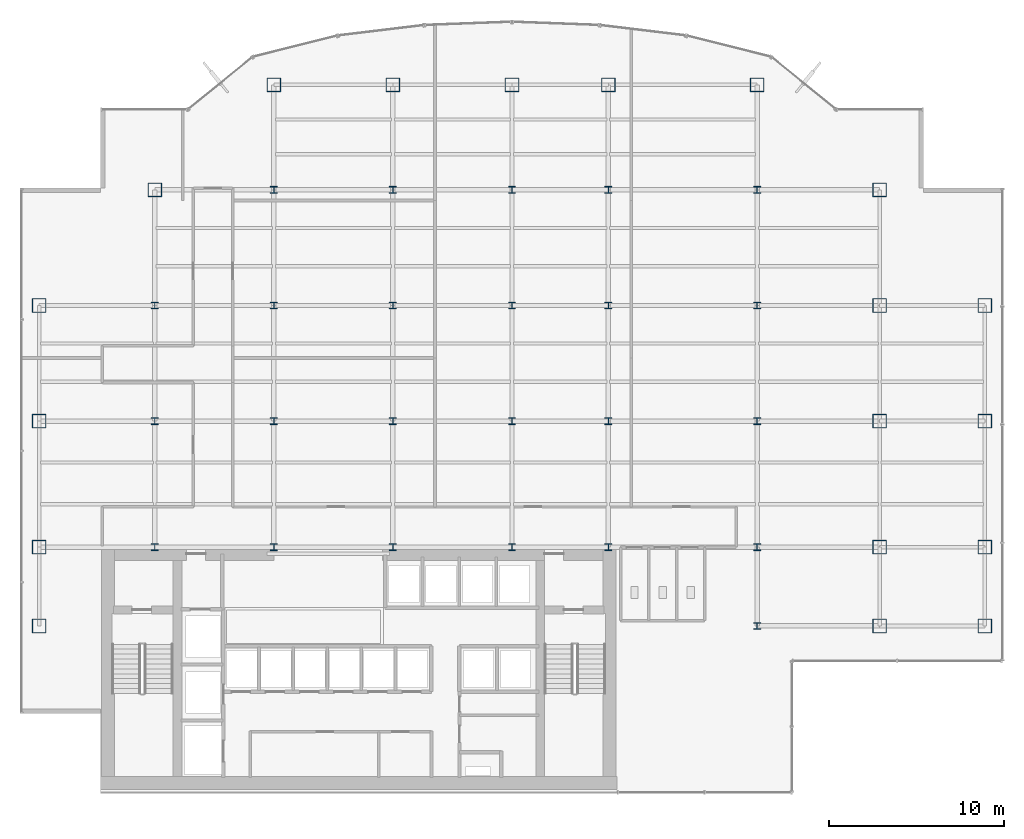
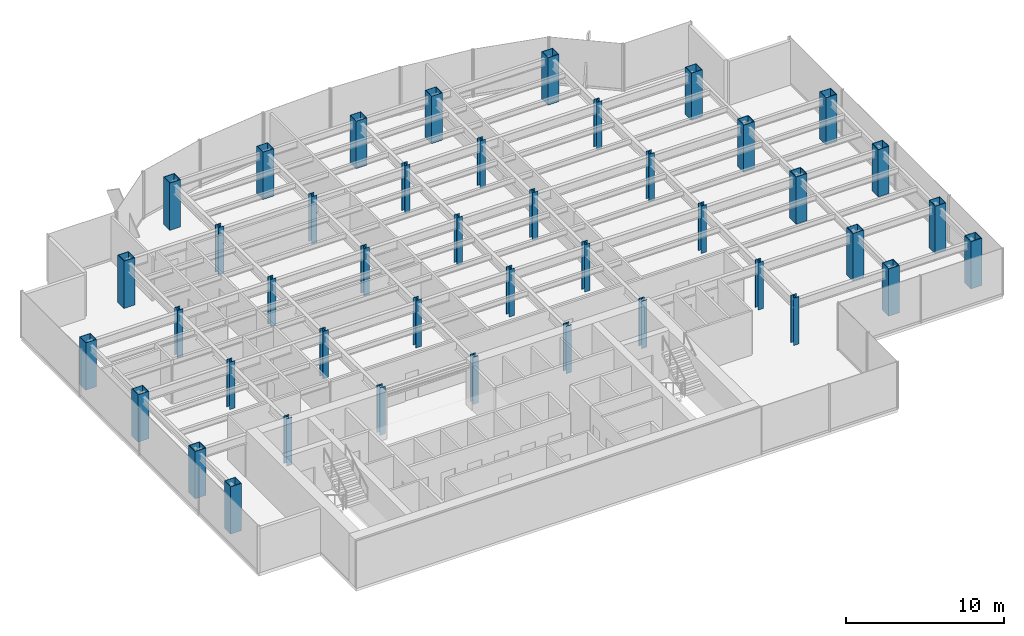
# One storey, part 1 of 26: 43 columns.
"""IFC4 building model written with IfcOpenShell, lengths in metres."""

from ifc_helpers import new_model, si_unit, derived_unit, direction, frame, origin, origin_2d, place, context, subcontext, project, spatial, hollow_rectangle, i_section, extrude, source, transform, mapped, material, material_profile, profile_set, type_object, element, save


model = new_model("IFC4")

# Units and contexts
model_context = context("Model", 3, precision=1e-05, world=origin(), true_north=direction((0.0, 1.0)))
body_context = subcontext(model_context, "Body", "Model", "MODEL_VIEW")
ifc_project = project(units=[si_unit("LENGTHUNIT", "METRE"), si_unit("AREAUNIT", "SQUARE_METRE"), si_unit("VOLUMEUNIT", "CUBIC_METRE"), si_unit("PLANEANGLEUNIT", "RADIAN"), si_unit("MASSUNIT", "GRAM", prefix="KILO"), derived_unit("THERMALTRANSMITTANCEUNIT", [(si_unit("POWERUNIT", "WATT"), 1), (si_unit("LENGTHUNIT", "METRE"), -2), (si_unit("THERMODYNAMICTEMPERATUREUNIT", "KELVIN"), -1)])], contexts=[model_context])

# Site, building, storey
site_placement = place(None, origin())
site = spatial("IfcSite", under=ifc_project, at=site_placement, CompositionType="ELEMENT")
building_placement = place(site_placement, origin())
building = spatial("IfcBuilding", under=site, at=building_placement, Name="Skarnbrae Concourse Arena and Tower", CompositionType="ELEMENT")
storey_placement = place(building_placement, frame((0.0, 0.0, 106.89990234375)))
storey = spatial("IfcBuildingStorey", under=building, at=storey_placement, Name="L26", CompositionType="ELEMENT", Elevation=106.89990234375)

# Columns
ifc_material = material(Name="Steel CSA G40.21 350W", Category="steel")
ifc_material_profile_1 = material_profile(ifc_material, hollow_rectangle(XDim=0.800048828125, YDim=0.800048828125, WallThickness=0.0400390625, at=origin_2d()), Name="BOX800X800X40")
ifc_profile_set_1 = profile_set([ifc_material_profile_1], Name="Steel CSA G40.21 350W")
column_type_1 = type_object("IfcColumnType", Name="COL-TUBE-BOX800", PredefinedType="COLUMN", material=ifc_profile_set_1)
shared_shape_1 = source(origin(), body_context, "Body", "SweptSolid", [
    extrude(hollow_rectangle(XDim=0.800048828125, YDim=0.800048828125, WallThickness=0.0400390625, at=origin_2d()), origin(), (0.0, 0.0, 1.0), 3.650146484375),
])
for number, where, z_axis, x_axis, name in (
    (1, (1.0, 9.5, 0.0), (0.0, 0.0, 1.0), (1.0, 0.0, 0.0), "L26 Tower column PC_01_01"),
    (2, (1.0, 14.0, 0.0), (0.0, 0.0, 1.0), (1.0, 0.0, 0.0), "L26 Tower column PC_01_02"),
    (3, (1.0, 21.199951171875, 0.0), (0.0, 0.0, 1.0), (1.0, 0.0, 0.0), "L26 Tower column PC_01_03"),
    (4, (1.0, 27.800048828125, 0.0), (0.0, 0.0, 1.0), (1.0, 0.0, 0.0), "L26 Tower column PC_01_04"),
    (5, (7.60009765625, 34.39990234375, 0.0), (0.0, 0.0, 1.0), (1.0, 0.0, 0.0), "L26 Tower column PC_02_05"),
    (6, (14.39990234375, 40.39990234375, 0.0), (0.0, 0.0, 1.0), (1.0, 0.0, 0.0), "L26 Tower column PC_03_06"),
    (7, (21.199951171875, 40.39990234375, 0.0), (0.0, 0.0, 1.0), (1.0, 0.0, 0.0), "L26 Tower column PC_04_06"),
    (8, (28.0, 40.39990234375, 0.0), (0.0, 0.0, 1.0), (1.0, 0.0, 0.0), "L26 Tower column PC_05_06"),
    (9, (33.5, 40.39990234375, 0.0), (0.0, 0.0, 1.0), (1.0, 0.0, 0.0), "L26 Tower column PC_06_06"),
    (10, (42.0, 40.39990234375, 0.0), (0.0, 0.0, 1.0), (1.0, 0.0, 0.0), "L26 Tower column PC_07_06"),
    (11, (49.0, 9.5, 0.0), (0.0, 0.0, 1.0), (1.0, 0.0, 0.0), "L26 Tower column PC_08_01"),
    (12, (49.0, 14.0, 0.0), (0.0, 0.0, 1.0), (1.0, 0.0, 0.0), "L26 Tower column PC_08_02"),
    (13, (49.0, 21.199951171875, 0.0), (0.0, 0.0, 1.0), (1.0, 0.0, 0.0), "L26 Tower column PC_08_03"),
    (14, (49.0, 27.800048828125, 0.0), (0.0, 0.0, 1.0), (1.0, 0.0, 0.0), "L26 Tower column PC_08_04"),
    (15, (49.0, 34.39990234375, 0.0), (0.0, 0.0, 1.0), (1.0, 0.0, 0.0), "L26 Tower column PC_08_05"),
    (16, (55.0, 9.5, 0.0), (0.0, 0.0, 1.0), (1.0, 0.0, 0.0), "L26 Tower column PC_09_01"),
    (17, (55.0, 14.0, 0.0), (0.0, 0.0, 1.0), (1.0, 0.0, 0.0), "L26 Tower column PC_09_02"),
    (18, (55.0, 21.199951171875, 0.0), (0.0, 0.0, 1.0), (1.0, 0.0, 0.0), "L26 Tower column PC_09_03"),
    (19, (55.0, 27.800048828125, 0.0), (0.0, 0.0, 1.0), (1.0, 0.0, 0.0), "L26 Tower column PC_09_04"),
):
    element("IfcColumn", number, at=place(storey_placement, frame(where, z_axis=z_axis, x_axis=x_axis)), inside=storey, type_object=column_type_1, Name=name, PredefinedType="COLUMN", context=body_context, shape_type="MappedRepresentation", body=[
        mapped(shared_shape_1, transform((0.0, 0.0, 0.0))),
    ])
ifc_material_profile_2 = material_profile(ifc_material, i_section(OverallWidth=0.39892578125, OverallDepth=0.39306640625, WebThickness=0.022705078125, FlangeThickness=0.03662109375, at=origin_2d()), Name="W360X287")
ifc_profile_set_2 = profile_set([ifc_material_profile_2], Name="Steel CSA G40.21 350W")
column_type_2 = type_object("IfcColumnType", Name="COL-INT-W360X287", PredefinedType="COLUMN", material=ifc_profile_set_2)
shared_shape_2 = source(origin(), body_context, "Body", "SweptSolid", [
    extrude(i_section(OverallWidth=0.39892578125, OverallDepth=0.39306640625, WebThickness=0.022705078125, FlangeThickness=0.03662109375, at=origin_2d()), origin(), (0.0, 0.0, 1.0), 3.650146484375),
])
for number, where, z_axis, x_axis, name in (
    (20, (7.60009765625, 14.0, 0.0), (0.0, 0.0, 1.0), (1.0, 0.0, 0.0), "L26 Tower column IC_02_02"),
    (21, (7.60009765625, 21.199951171875, 0.0), (0.0, 0.0, 1.0), (1.0, 0.0, 0.0), "L26 Tower column IC_02_03"),
    (22, (7.60009765625, 27.800048828125, 0.0), (0.0, 0.0, 1.0), (1.0, 0.0, 0.0), "L26 Tower column IC_02_04"),
    (23, (14.39990234375, 14.0, 0.0), (0.0, 0.0, 1.0), (1.0, 0.0, 0.0), "L26 Tower column IC_03_02"),
    (24, (14.39990234375, 21.199951171875, 0.0), (0.0, 0.0, 1.0), (1.0, 0.0, 0.0), "L26 Tower column IC_03_03"),
    (25, (14.39990234375, 27.800048828125, 0.0), (0.0, 0.0, 1.0), (1.0, 0.0, 0.0), "L26 Tower column IC_03_04"),
    (26, (14.39990234375, 34.39990234375, 0.0), (0.0, 0.0, 1.0), (1.0, 0.0, 0.0), "L26 Tower column IC_03_05"),
    (27, (21.199951171875, 14.0, 0.0), (0.0, 0.0, 1.0), (1.0, 0.0, 0.0), "L26 Tower column IC_04_02"),
    (28, (21.199951171875, 21.199951171875, 0.0), (0.0, 0.0, 1.0), (1.0, 0.0, 0.0), "L26 Tower column IC_04_03"),
    (29, (21.199951171875, 27.800048828125, 0.0), (0.0, 0.0, 1.0), (1.0, 0.0, 0.0), "L26 Tower column IC_04_04"),
    (30, (21.199951171875, 34.39990234375, 0.0), (0.0, 0.0, 1.0), (1.0, 0.0, 0.0), "L26 Tower column IC_04_05"),
    (31, (28.0, 14.0, 0.0), (0.0, 0.0, 1.0), (1.0, 0.0, 0.0), "L26 Tower column IC_05_02"),
    (32, (28.0, 21.199951171875, 0.0), (0.0, 0.0, 1.0), (1.0, 0.0, 0.0), "L26 Tower column IC_05_03"),
    (33, (28.0, 27.800048828125, 0.0), (0.0, 0.0, 1.0), (1.0, 0.0, 0.0), "L26 Tower column IC_05_04"),
    (34, (28.0, 34.39990234375, 0.0), (0.0, 0.0, 1.0), (1.0, 0.0, 0.0), "L26 Tower column IC_05_05"),
    (35, (33.5, 14.0, 0.0), (0.0, 0.0, 1.0), (1.0, 0.0, 0.0), "L26 Tower column IC_06_02"),
    (36, (33.5, 21.199951171875, 0.0), (0.0, 0.0, 1.0), (1.0, 0.0, 0.0), "L26 Tower column IC_06_03"),
    (37, (33.5, 27.800048828125, 0.0), (0.0, 0.0, 1.0), (1.0, 0.0, 0.0), "L26 Tower column IC_06_04"),
    (38, (33.5, 34.39990234375, 0.0), (0.0, 0.0, 1.0), (1.0, 0.0, 0.0), "L26 Tower column IC_06_05"),
    (39, (42.0, 9.5, 0.0), (0.0, 0.0, 1.0), (1.0, 0.0, 0.0), "L26 Tower column IC_07_01"),
    (40, (42.0, 14.0, 0.0), (0.0, 0.0, 1.0), (1.0, 0.0, 0.0), "L26 Tower column IC_07_02"),
    (41, (42.0, 21.199951171875, 0.0), (0.0, 0.0, 1.0), (1.0, 0.0, 0.0), "L26 Tower column IC_07_03"),
    (42, (42.0, 27.800048828125, 0.0), (0.0, 0.0, 1.0), (1.0, 0.0, 0.0), "L26 Tower column IC_07_04"),
    (43, (42.0, 34.39990234375, 0.0), (0.0, 0.0, 1.0), (1.0, 0.0, 0.0), "L26 Tower column IC_07_05"),
):
    element("IfcColumn", number, at=place(storey_placement, frame(where, z_axis=z_axis, x_axis=x_axis)), inside=storey, type_object=column_type_2, Name=name, PredefinedType="COLUMN", context=body_context, shape_type="MappedRepresentation", body=[
        mapped(shared_shape_2, transform((0.0, 0.0, 0.0))),
    ])

save(model, "model.ifc")
